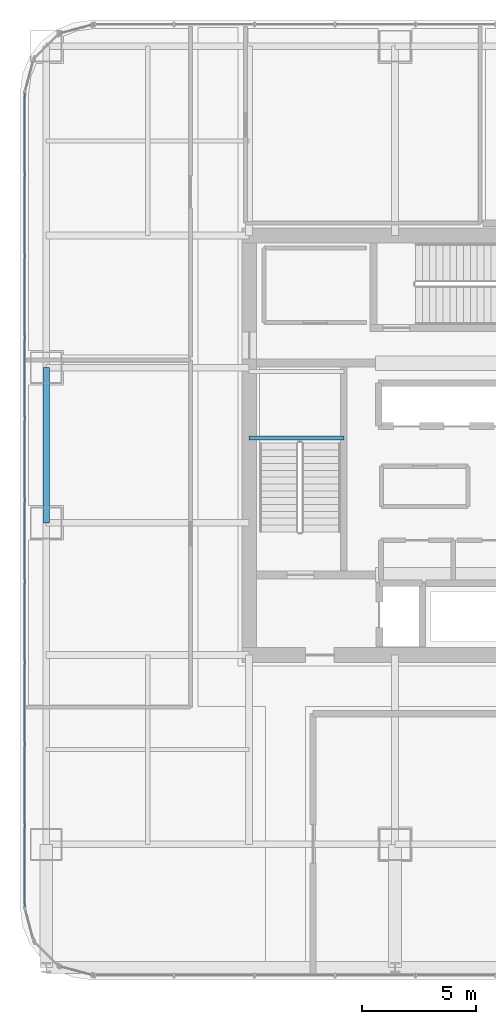
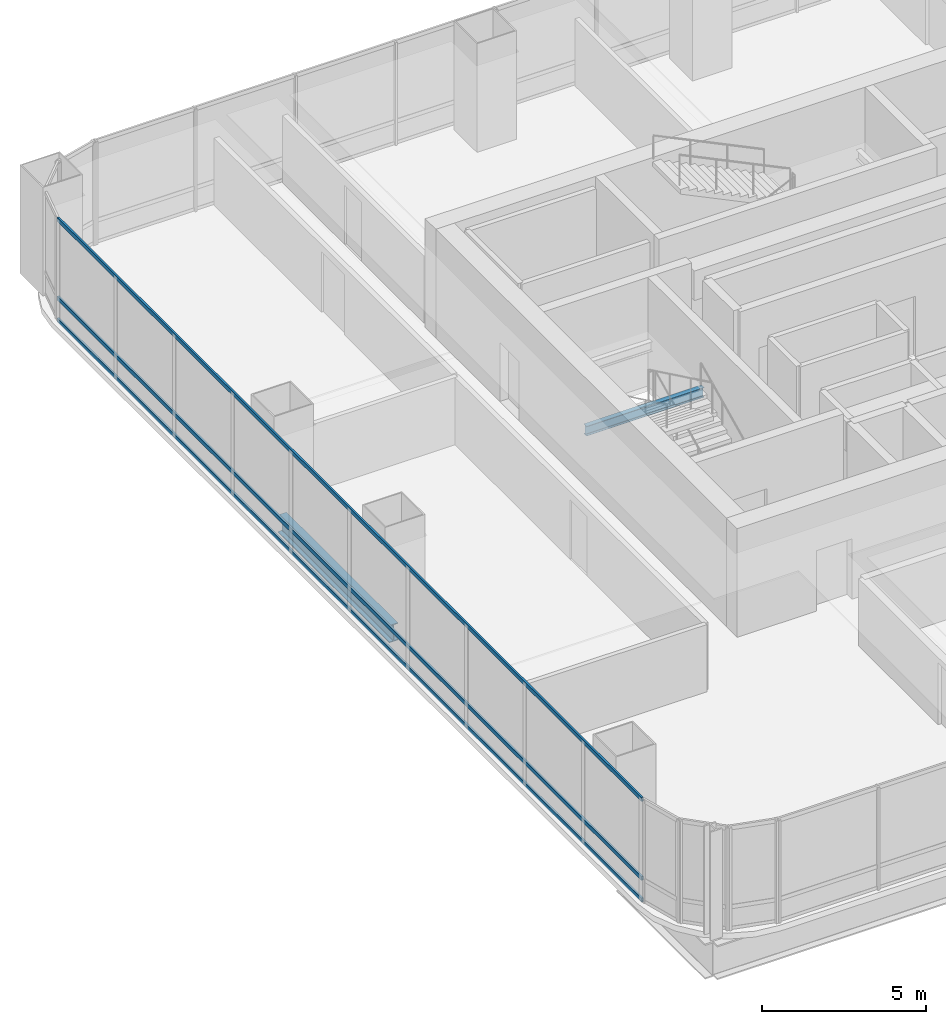
# One storey, part 10 of 35: 3 members, 2 beams, 1 element without a shape of its own.
"""IFC4 building model written with IfcOpenShell, lengths in metres."""

from ifc_helpers import new_model, si_unit, direction, frame, origin, origin_2d, place, context, subcontext, project, spatial, hollow_rectangle, i_section, extrude, material, material_profile, profile_set, type_object, element, aggregate, save


model = new_model("IFC4")

# Units and contexts
model_context = context("Model", 3, precision=1e-05, world=origin(), true_north=direction((0.0, 1.0)))
body_context = subcontext(model_context, "Body", "Model", "MODEL_VIEW")
ifc_project = project(units=[si_unit("LENGTHUNIT", "METRE"), si_unit("AREAUNIT", "SQUARE_METRE"), si_unit("VOLUMEUNIT", "CUBIC_METRE"), si_unit("PLANEANGLEUNIT", "RADIAN"), si_unit("MASSUNIT", "GRAM", prefix="KILO")], contexts=[model_context])

# Site, building, storey
site_placement = place(None, origin())
site = spatial("IfcSite", under=ifc_project, at=site_placement, CompositionType="ELEMENT")
building_placement = place(site_placement, origin())
building = spatial("IfcBuilding", under=site, at=building_placement, Name="Punatoya Terracotta Tower", CompositionType="ELEMENT")
storey_placement = place(building_placement, frame((0.0, 0.0, 216.75)))
storey = spatial("IfcBuildingStorey", under=building, at=storey_placement, Name="L51", CompositionType="ELEMENT", Elevation=216.75)

# Beams
ifc_material_1 = material(Name="Steel S355", Category="steel")
ifc_material_profile_1 = material_profile(ifc_material_1, i_section(OverallWidth=0.300048828125, OverallDepth=0.64990234375, WebThickness=0.01611328125, FlangeThickness=0.031005859375, FilletRadius=0.01806640625, at=origin_2d()))
ifc_profile_set_1 = profile_set([ifc_material_profile_1], Name="Steel S355")
beam_type_1 = type_object("IfcBeamType", Name="BM-PRI-650", PredefinedType="BEAM", material=ifc_profile_set_1)
beam_1_placement = place(storey_placement, frame((-19.10009765625, -3.39990234375, -0.544921875), z_axis=(0.0, 1.0, 0.0), x_axis=(-1.0, 0.0, 0.0)))
element("IfcBeam", 1, at=beam_1_placement, inside=storey, type_object=beam_type_1, Name="BM-L51-RG-W2", PredefinedType="BEAM", context=body_context, shape_type="SweptSolid", body=[
    extrude(i_section(OverallWidth=0.300048828125, OverallDepth=0.64990234375, WebThickness=0.01611328125, FlangeThickness=0.031005859375, FilletRadius=0.01806640625, at=origin_2d()), origin(), (0.0, 0.0, 1.0), 6.7998046875),
])
ifc_material_profile_2 = material_profile(ifc_material_1, i_section(OverallWidth=0.169921875, OverallDepth=0.360107421875, WebThickness=0.008056640625, FlangeThickness=0.0126953125, FilletRadius=0.01806640625, at=origin_2d()))
ifc_profile_set_2 = profile_set([ifc_material_profile_2], Name="Steel S355")
beam_type_2 = type_object("IfcBeamType", Name="BM-SEC-360", PredefinedType="JOIST", material=ifc_profile_set_2)
beam_2_placement = place(storey_placement, frame((-10.199951171875, 0.320068359375, 1.64501953125), z_axis=(1.0, 0.0, 0.0), x_axis=(0.0, 1.0, 0.0)))
element("IfcBeam", 2, at=beam_2_placement, inside=storey, type_object=beam_type_2, Name="BM-L51-ST-1-LD1A", PredefinedType="JOIST", context=body_context, shape_type="SweptSolid", body=[
    extrude(i_section(OverallWidth=0.169921875, OverallDepth=0.360107421875, WebThickness=0.008056640625, FlangeThickness=0.0126953125, FilletRadius=0.01806640625, at=origin_2d()), origin(), (0.0, 0.0, 1.0), 4.14990234375),
])

# Curtain wall, members
ifc_material_2 = material(Name="Aluminium 6063-T6 + Double Low-E Glass", Category="aluminium")
curtain_wall_type = type_object("IfcCurtainWallType", Name="CW-M2", PredefinedType="NOTDEFINED", material=ifc_material_2)
curtain_wall_placement = place(storey_placement, origin())
curtain_wall = element("IfcCurtainWall", 3, at=curtain_wall_placement, inside=storey, type_object=curtain_wall_type, Name="L51 Curtain Wall CW-L51-W13-1", PredefinedType="NOTDEFINED")
ifc_material_3 = material(Name="Aluminium 6063-T6", Category="aluminium")
ifc_material_profile_3 = material_profile(ifc_material_3, hollow_rectangle(XDim=0.068115234375, YDim=0.14990234375, WallThickness=0.00390625, at=origin_2d()))
ifc_profile_set_3 = profile_set([ifc_material_profile_3], Name="Aluminium 6063-T6")
member_type = type_object("IfcMemberType", Name="CW-TRN-TYP", PredefinedType="USERDEFINED", material=ifc_profile_set_3)
member_1_placement = place(storey_placement, frame((-20.050048828125, 15.43701171875, 0.0400390625), z_axis=(0.0, -1.0, 0.0), x_axis=(1.0, 0.0, 0.0)))
member_1 = element("IfcMember", 4, at=member_1_placement, type_object=member_type, Name="CW-L51-W13-1 Transom 1", ObjectType="TRANSOM", PredefinedType="USERDEFINED", context=body_context, shape_type="SweptSolid", body=[
    extrude(hollow_rectangle(XDim=0.068115234375, YDim=0.14990234375, WallThickness=0.00390625, at=origin_2d()), origin(), (0.0, 0.0, 1.0), 35.673828125),
])
member_2_placement = place(storey_placement, frame((-20.050048828125, 15.43701171875, 0.85009765625), z_axis=(0.0, -1.0, 0.0), x_axis=(1.0, 0.0, 0.0)))
member_2 = element("IfcMember", 5, at=member_2_placement, type_object=member_type, Name="CW-L51-W13-1 Transom 2", ObjectType="TRANSOM", PredefinedType="USERDEFINED", context=body_context, shape_type="SweptSolid", body=[
    extrude(hollow_rectangle(XDim=0.068115234375, YDim=0.14990234375, WallThickness=0.00390625, at=origin_2d()), origin(), (0.0, 0.0, 1.0), 35.673828125),
])
member_3_placement = place(storey_placement, frame((-20.050048828125, 15.43701171875, 3.7900390625), z_axis=(0.0, -1.0, 0.0), x_axis=(1.0, 0.0, 0.0)))
member_3 = element("IfcMember", 6, at=member_3_placement, type_object=member_type, Name="CW-L51-W13-1 Transom 3", ObjectType="TRANSOM", PredefinedType="USERDEFINED", context=body_context, shape_type="SweptSolid", body=[
    extrude(hollow_rectangle(XDim=0.068115234375, YDim=0.14990234375, WallThickness=0.00390625, at=origin_2d()), origin(), (0.0, 0.0, 1.0), 35.673828125),
])
aggregate(curtain_wall, [member_1, member_2, member_3])

save(model, "model.ifc")
